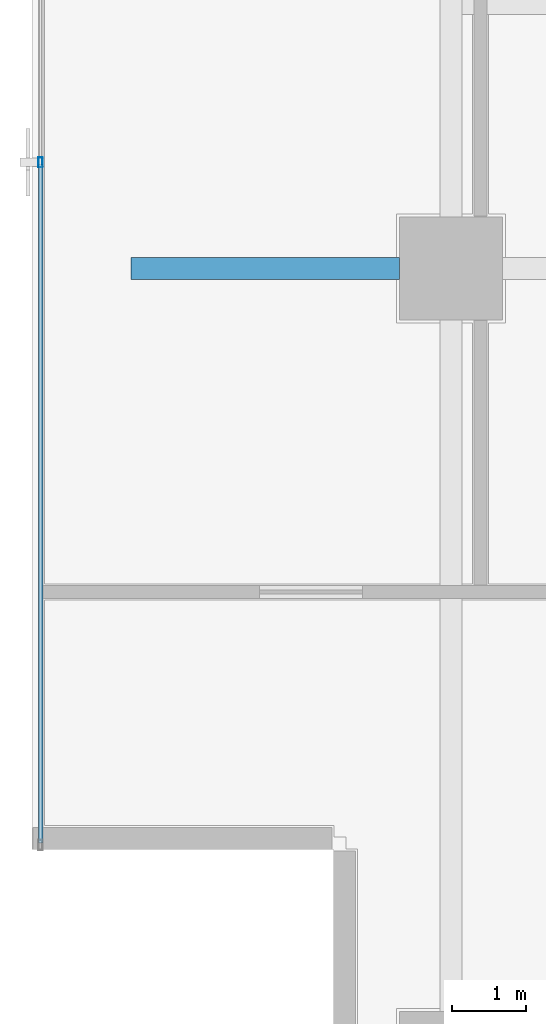
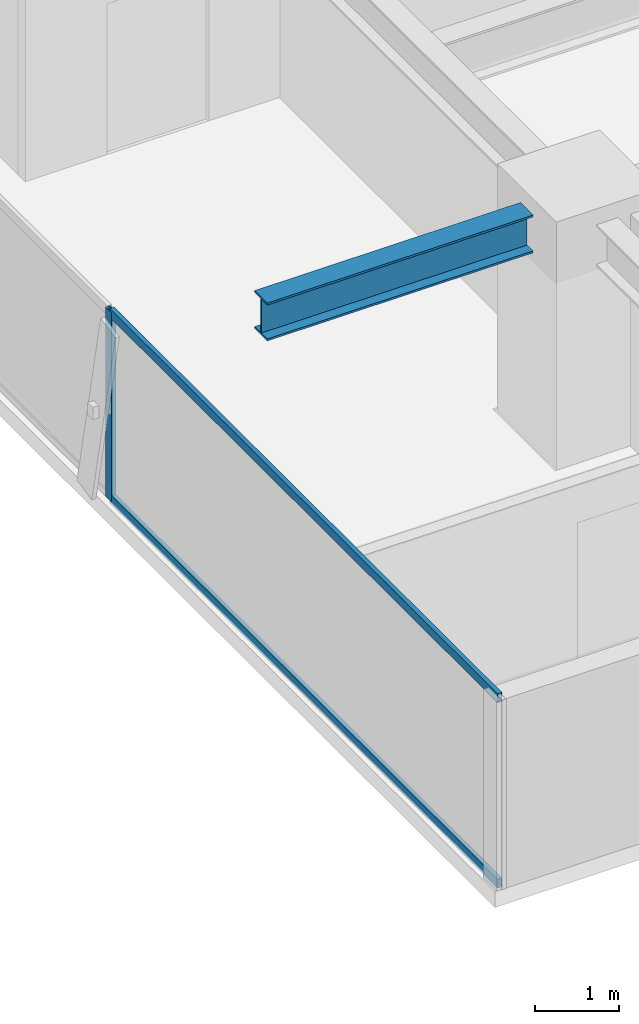
# One storey, part 4 of 25: 3 members, 1 beam, 1 element without a shape of its own.
"""IFC4 building model written with IfcOpenShell, lengths in metres."""

import ifcopenshell
import ifcopenshell.guid

model = None  # the IFC model being written
_history = None  # IfcOwnerHistory: only IFC2X3 demands one
_inside = {}  # id of a spatial element -> (the spatial element, [elements in it])
_under = {}  # id of a project, library or spatial element -> (it, [spatial elements below it])
_declared = {}  # id of a project -> (the project, [libraries it declares])
_typed = {}  # id of a type object -> (the type object, [elements of that type])
_made_of = {}  # id of a material, layer set ... -> (it, [elements and type objects made of it])


def new_model(schema):
    """Start an empty IFC model of exactly this schema.

    Asked for "IFC4X3", IfcOpenShell would pick the latest addendum, in which some entities
    have other attributes; the version numbers below select the first issue.
    IFC2X3 requires an IfcOwnerHistory on every rooted entity: one is made here for all.
    """
    global model, _history
    if schema == "IFC4X3":
        model = ifcopenshell.file(schema_version=(4, 3, 0, 0))
    else:
        model = ifcopenshell.file(schema=schema)
    _inside.clear()
    _under.clear()
    _declared.clear()
    _typed.clear()
    _made_of.clear()
    _history = None
    if model.schema == "IFC2X3":
        org = make("IfcOrganization", Name="unknown")
        user = make(
            "IfcPersonAndOrganization",
            ThePerson=make("IfcPerson", FamilyName="unknown"),
            TheOrganization=org,
        )
        app = make(
            "IfcApplication",
            ApplicationDeveloper=org,
            Version="unknown",
            ApplicationFullName="unknown",
            ApplicationIdentifier="unknown",
        )
        _history = make(
            "IfcOwnerHistory",
            OwningUser=user,
            OwningApplication=app,
            ChangeAction="ADDED",
            CreationDate=0,
        )
    return model


def make(cls, **values):
    """One entity of the class cls with the attributes given. An attribute that is None is left unset."""
    return model.create_entity(
        cls, **{name: value for name, value in values.items() if value is not None}
    )


def rooted(cls, **values):
    """An entity with a GlobalId (a new one), such as an element, a storey or a relation."""
    return make(cls, GlobalId=ifcopenshell.guid.new(), OwnerHistory=_history, **values)


def si_unit(unit_type, name, prefix=None):
    """IfcSIUnit, for example si_unit("LENGTHUNIT", "METRE", prefix="MILLI")."""
    return make("IfcSIUnit", UnitType=unit_type, Prefix=prefix, Name=name)


def assignment(units):
    """IfcUnitAssignment: the units of a project."""
    return None if units is None else make("IfcUnitAssignment", Units=units)


def point(xyz):
    """IfcCartesianPoint."""
    return None if xyz is None else make("IfcCartesianPoint", Coordinates=xyz)


def direction(xyz):
    """IfcDirection."""
    return None if xyz is None else make("IfcDirection", DirectionRatios=xyz)


def frame(location, z_axis=None, x_axis=None):
    """IfcAxis2Placement3D, a coordinate frame: its origin and axes. An axis left out is left unset."""
    return make(
        "IfcAxis2Placement3D",
        Location=point(location),
        Axis=direction(z_axis),
        RefDirection=direction(x_axis),
    )


def frame_2d(location, x_axis=None):
    """IfcAxis2Placement2D, a coordinate frame in the plane: its origin and x axis."""
    return make(
        "IfcAxis2Placement2D", Location=point(location), RefDirection=direction(x_axis)
    )


def origin():
    """The frame at (0, 0, 0) with its axes left unset."""
    return frame((0.0, 0.0, 0.0))


def origin_2d():
    """The frame at (0, 0) in the plane with its x axis left unset."""
    return frame_2d((0.0, 0.0))


def place(relative_to, where):
    """IfcLocalPlacement: puts the frame where relative to a parent placement (None: the world)."""
    return make(
        "IfcLocalPlacement", PlacementRelTo=relative_to, RelativePlacement=where
    )


def context(
    kind, dimensions, precision=None, world=None, true_north=None, identifier=None
):
    """IfcGeometricRepresentationContext, for example the 3D "Model" context."""
    return make(
        "IfcGeometricRepresentationContext",
        ContextIdentifier=identifier,
        ContextType=kind,
        CoordinateSpaceDimension=dimensions,
        Precision=precision,
        WorldCoordinateSystem=world,
        TrueNorth=true_north,
    )


def subcontext(parent, identifier, kind, view, scale=None):
    """IfcGeometricRepresentationSubContext, for example "Body" below "Model"."""
    return make(
        "IfcGeometricRepresentationSubContext",
        ContextIdentifier=identifier,
        ContextType=kind,
        ParentContext=parent,
        TargetScale=scale,
        TargetView=view,
    )


def project(units=None, contexts=None):
    """IfcProject with its units and contexts."""
    return rooted(
        "IfcProject",
        Name="project",
        RepresentationContexts=contexts,
        UnitsInContext=assignment(units),
    )


def spatial(cls, under=None, at=None, **own):
    """A site, building, storey or space (cls), placed at a placement, below another one or the project."""
    s = rooted(cls, ObjectPlacement=at, **own)
    if under is not None:
        _under.setdefault(under.id(), (under, []))[1].append(s)
    return s


def profile(cls, at=None, kind="AREA", **sizes):
    """A parametric profile (cls). Its sizes go by their IFC names, for example OverallWidth=200.0."""
    return make(cls, ProfileType=kind, Position=at, **sizes)


def hollow_rectangle(**sizes):
    """IfcRectangleHollowProfileDef."""
    return profile("IfcRectangleHollowProfileDef", **sizes)


def i_section(**sizes):
    """IfcIShapeProfileDef."""
    return profile("IfcIShapeProfileDef", **sizes)


def extrude(swept, where, along, depth):
    """IfcExtrudedAreaSolid: the profile swept, set in the frame where, extruded along a direction by depth."""
    return make(
        "IfcExtrudedAreaSolid",
        SweptArea=swept,
        Position=where,
        ExtrudedDirection=direction(along),
        Depth=depth,
    )


def shape(context_of_items, identifier, shape_type, items):
    """IfcShapeRepresentation: the items that make up one representation, for example the "Body"."""
    return make(
        "IfcShapeRepresentation",
        ContextOfItems=context_of_items,
        RepresentationIdentifier=identifier,
        RepresentationType=shape_type,
        Items=items,
    )


def source(mapping_origin, context_of_items, identifier, shape_type, items):
    """IfcRepresentationMap: a shape defined once, which mapped items show again and again."""
    return make(
        "IfcRepresentationMap",
        MappingOrigin=mapping_origin,
        MappedRepresentation=shape(context_of_items, identifier, shape_type, items),
    )


def transform(
    local_origin,
    x_axis=None,
    y_axis=None,
    z_axis=None,
    scale=None,
    scale2=None,
    scale3=None,
    uniform=True,
):
    """IfcCartesianTransformationOperator3D, or its non-uniform kind. x_axis, y_axis, z_axis: its Axis1, 2, 3."""
    if uniform:
        return make(
            "IfcCartesianTransformationOperator3D",
            Axis1=direction(x_axis),
            Axis2=direction(y_axis),
            LocalOrigin=point(local_origin),
            Scale=scale,
            Axis3=direction(z_axis),
        )
    return make(
        "IfcCartesianTransformationOperator3DnonUniform",
        Axis1=direction(x_axis),
        Axis2=direction(y_axis),
        LocalOrigin=point(local_origin),
        Scale=scale,
        Axis3=direction(z_axis),
        Scale2=scale2,
        Scale3=scale3,
    )


def mapped(mapping_source, mapping_target):
    """IfcMappedItem: shows the shape of a source again, moved by a transform."""
    return make(
        "IfcMappedItem", MappingSource=mapping_source, MappingTarget=mapping_target
    )


def material(Name=None, Category=None):
    """IfcMaterial."""
    return make("IfcMaterial", Name=Name, Category=Category)


def layer(
    of_material, thickness, ventilated=None, Name=None, Category=None, Priority=None
):
    """IfcMaterialLayer: one layer of a wall or slab, of a material (None: an air gap)."""
    return make(
        "IfcMaterialLayer",
        Material=of_material,
        LayerThickness=thickness,
        IsVentilated=ventilated,
        Name=Name,
        Category=Category,
        Priority=Priority,
    )


def layer_set(layers, Name=None):
    """IfcMaterialLayerSet."""
    return make("IfcMaterialLayerSet", MaterialLayers=layers, LayerSetName=Name)


def material_profile(
    of_material, cross_section, Name=None, Category=None, Priority=None
):
    """IfcMaterialProfile: a cross section and its material."""
    return make(
        "IfcMaterialProfile",
        Name=Name,
        Material=of_material,
        Profile=cross_section,
        Priority=Priority,
        Category=Category,
    )


def profile_set(profiles, Name=None, composite=None):
    """IfcMaterialProfileSet."""
    return make(
        "IfcMaterialProfileSet",
        Name=Name,
        MaterialProfiles=profiles,
        CompositeProfile=composite,
    )


def made_of(thing, what):
    """Note that an element or type object is made of a material, layer set ...; save() writes the relation."""
    if what is not None:
        _made_of.setdefault(what.id(), (what, []))[1].append(thing)
    return thing


def type_object(cls, material=None, **own):
    """A type object (cls), such as IfcWallType, which elements share."""
    return made_of(rooted(cls, **own), material)


def element(
    cls,
    number,
    at=None,
    inside=None,
    cuts=None,
    type_object=None,
    material=None,
    context=None,
    identifier="Body",
    shape_type=None,
    held_by="IfcProductDefinitionShape",
    body=None,
    shapes=None,
    **own,
):
    """One element of the class cls, such as IfcWall. Its Tag is "e" and its number.

    at: its placement. inside: the storey or other place that contains it. cuts: it is an
    opening in that element (IfcRelVoidsElement). A single representation is given by context,
    identifier, shape_type and body (its items); several are given by shapes. held_by: the class
    of the entity that holds the representations. save() writes the other relations.
    """
    e = rooted(cls, Tag="e%d" % number, ObjectPlacement=at, **own)
    if body is not None:
        shapes = [shape(context, identifier, shape_type, body)]
    if shapes is not None:
        e.Representation = make(held_by, Representations=shapes)
    if inside is not None:
        _inside.setdefault(inside.id(), (inside, []))[1].append(e)
    if cuts is not None:
        rooted(
            "IfcRelVoidsElement", RelatingBuildingElement=cuts, RelatedOpeningElement=e
        )
    if type_object is not None:
        _typed.setdefault(type_object.id(), (type_object, []))[1].append(e)
    return made_of(e, material)


def aggregate(whole, parts):
    """IfcRelAggregates: a whole, such as a stair, and the parts it consists of."""
    return rooted("IfcRelAggregates", RelatingObject=whole, RelatedObjects=parts)


def save(model, path):
    """Write the relations noted so far, then the file.

    IfcRelAggregates (storeys below a building ...), IfcRelContainedInSpatialStructure (elements
    in a storey), IfcRelDefinesByType, IfcRelAssociatesMaterial and IfcRelDeclares: one each for
    every whole, place, type object, material and project.
    """
    for whole, parts in _under.values():
        aggregate(whole, parts)
    for where, things in _inside.values():
        rooted(
            "IfcRelContainedInSpatialStructure",
            RelatedElements=things,
            RelatingStructure=where,
        )
    for kind, things in _typed.values():
        rooted("IfcRelDefinesByType", RelatedObjects=things, RelatingType=kind)
    for what, things in _made_of.values():
        rooted("IfcRelAssociatesMaterial", RelatedObjects=things, RelatingMaterial=what)
    for by, libraries in _declared.values():
        rooted("IfcRelDeclares", RelatingContext=by, RelatedDefinitions=libraries)
    model.write(path)


model = new_model("IFC4")

# Units and contexts
model_context = context("Model", 3, precision=1e-05, world=origin(), true_north=direction((0.0, 1.0)))
body_context = subcontext(model_context, "Body", "Model", "MODEL_VIEW")
ifc_project = project(units=[si_unit("LENGTHUNIT", "METRE"), si_unit("AREAUNIT", "SQUARE_METRE"), si_unit("VOLUMEUNIT", "CUBIC_METRE"), si_unit("PLANEANGLEUNIT", "RADIAN"), si_unit("MASSUNIT", "GRAM", prefix="KILO")], contexts=[model_context])

# Site, building, storey
site_placement = place(None, origin())
site = spatial("IfcSite", under=ifc_project, at=site_placement, CompositionType="ELEMENT")
building_placement = place(site_placement, origin())
building = spatial("IfcBuilding", under=site, at=building_placement, Name="Sumidabori Civic Tower", CompositionType="ELEMENT")
storey_placement = place(building_placement, frame((0.0, 0.0, 268.39990234375)))
storey = spatial("IfcBuildingStorey", under=building, at=storey_placement, Name="L70", CompositionType="ELEMENT", Elevation=268.39990234375)

# Beam
ifc_material_1 = material(Name="Steel SN490", Category="steel")
ifc_material_profile_1 = material_profile(ifc_material_1, i_section(OverallWidth=0.300048828125, OverallDepth=0.550048828125, WebThickness=0.014892578125, FlangeThickness=0.029052734375, at=origin_2d()), Name="HE 550 B")
ifc_profile_set_1 = profile_set([ifc_material_profile_1], Name="Steel SN490")
beam_type = type_object("IfcBeamType", Name="BM-Z4-EDGE", PredefinedType="SPANDREL", material=ifc_profile_set_1)
shared_shape_1 = source(origin(), body_context, "Body", "SweptSolid", [
    extrude(i_section(OverallWidth=0.300048828125, OverallDepth=0.550048828125, WebThickness=0.014892578125, FlangeThickness=0.029052734375, at=origin_2d()), origin(), (0.0, 0.0, 1.0), 3.64990234375),
])
beam_placement = place(storey_placement, frame((-21.14990234375, 0.0, 3.09521484375), z_axis=(1.0, 0.0, 0.0), x_axis=(0.0, 1.0, 0.0)))
element("IfcBeam", 1, at=beam_placement, inside=storey, type_object=beam_type, Name="Perimeter Overhang Beam L70 W-19", PredefinedType="SPANDREL", context=body_context, shape_type="MappedRepresentation", body=[
    mapped(shared_shape_1, transform((0.0, 0.0, 0.0), x_axis=(1.0, 0.0, 0.0), y_axis=(0.0, 1.0, 0.0), z_axis=(0.0, 0.0, 1.0), scale=1.0)),
])

# Curtain wall, members
ifc_material_2 = material(Name="Anodised Bronze Aluminium AW-6063-T6", Category="aluminium")
ifc_layer = layer(ifc_material_2, 0.179931640625, Name="Anodised Bronze Aluminium AW-6063-T6")
ifc_layer_set = layer_set([ifc_layer], Name="Anodised Bronze Aluminium AW-6063-T6")
curtain_wall_type = type_object("IfcCurtainWallType", Name="CW-SYS-5", PredefinedType="NOTDEFINED", material=ifc_layer_set)
curtain_wall_placement = place(storey_placement, origin())
curtain_wall = element("IfcCurtainWall", 2, at=curtain_wall_placement, inside=storey, type_object=curtain_wall_type, Name="Curtain Wall CW:L70:R10", PredefinedType="NOTDEFINED")
ifc_material_profile_2 = material_profile(ifc_material_2, hollow_rectangle(XDim=0.06005859375, YDim=0.139892578125, WallThickness=0.0048828125, at=origin_2d()), Name="ALU MULLION 140x60")
ifc_profile_set_2 = profile_set([ifc_material_profile_2], Name="Anodised Bronze Aluminium AW-6063-T6")
member_type_1 = type_object("IfcMemberType", Name="CW-MUL-140", PredefinedType="MULLION", material=ifc_profile_set_2)
shared_shape_2 = source(origin(), body_context, "Body", "SweptSolid", [
    extrude(hollow_rectangle(XDim=0.06005859375, YDim=0.139892578125, WallThickness=0.0048828125, at=origin_2d()), origin(), (0.0, 0.0, 1.0), 2.75),
])
member_1_placement = place(storey_placement, frame((-22.3798828125, 1.443359375, 0.0), z_axis=(0.0, 0.0, 1.0), x_axis=(1.0, 0.0, 0.0)))
member_1 = element("IfcMember", 3, at=member_1_placement, type_object=member_type_1, Name="CW-5 mullion 3", PredefinedType="MULLION", context=body_context, shape_type="MappedRepresentation", body=[
    mapped(shared_shape_2, transform((0.0, 0.0, 0.0), x_axis=(1.0, 0.0, 0.0), y_axis=(0.0, 1.0, 0.0), z_axis=(0.0, 0.0, 1.0), scale=1.0)),
])
ifc_material_profile_3 = material_profile(ifc_material_2, hollow_rectangle(XDim=0.06005859375, YDim=0.1298828125, WallThickness=0.0048828125, at=origin_2d()), Name="ALU TRANSOM 130x60")
ifc_profile_set_3 = profile_set([ifc_material_profile_3], Name="Anodised Bronze Aluminium AW-6063-T6")
member_type_2 = type_object("IfcMemberType", Name="CW-TRN-130", PredefinedType="USERDEFINED", material=ifc_profile_set_3)
shared_shape_3 = source(origin(), body_context, "Body", "SweptSolid", [
    extrude(hollow_rectangle(XDim=0.06005859375, YDim=0.1298828125, WallThickness=0.0048828125, at=origin_2d()), origin(), (0.0, 0.0, 1.0), 9.223388671875),
])
member_2_placement = place(storey_placement, frame((-22.3798828125, 1.413330078125, 0.030029296875), z_axis=(0.0, -1.0, 0.0), x_axis=(1.0, 0.0, 0.0)))
member_2 = element("IfcMember", 4, at=member_2_placement, type_object=member_type_2, Name="CW-5 transom 3.1", ObjectType="TRANSOM", PredefinedType="USERDEFINED", context=body_context, shape_type="MappedRepresentation", body=[
    mapped(shared_shape_3, transform((0.0, 0.0, 0.0), x_axis=(1.0, 0.0, 0.0), y_axis=(0.0, 1.0, 0.0), z_axis=(0.0, 0.0, 1.0), scale=1.0)),
])
member_3_placement = place(storey_placement, frame((-22.3798828125, 1.413330078125, 2.72021484375), z_axis=(0.0, -1.0, 0.0), x_axis=(1.0, 0.0, 0.0)))
member_3 = element("IfcMember", 5, at=member_3_placement, type_object=member_type_2, Name="CW-5 transom 3.2", ObjectType="TRANSOM", PredefinedType="USERDEFINED", context=body_context, shape_type="MappedRepresentation", body=[
    mapped(shared_shape_3, transform((0.0, 0.0, 0.0), x_axis=(1.0, 0.0, 0.0), y_axis=(0.0, 1.0, 0.0), z_axis=(0.0, 0.0, 1.0), scale=1.0)),
])
aggregate(curtain_wall, [member_1, member_2, member_3])

save(model, "model.ifc")
